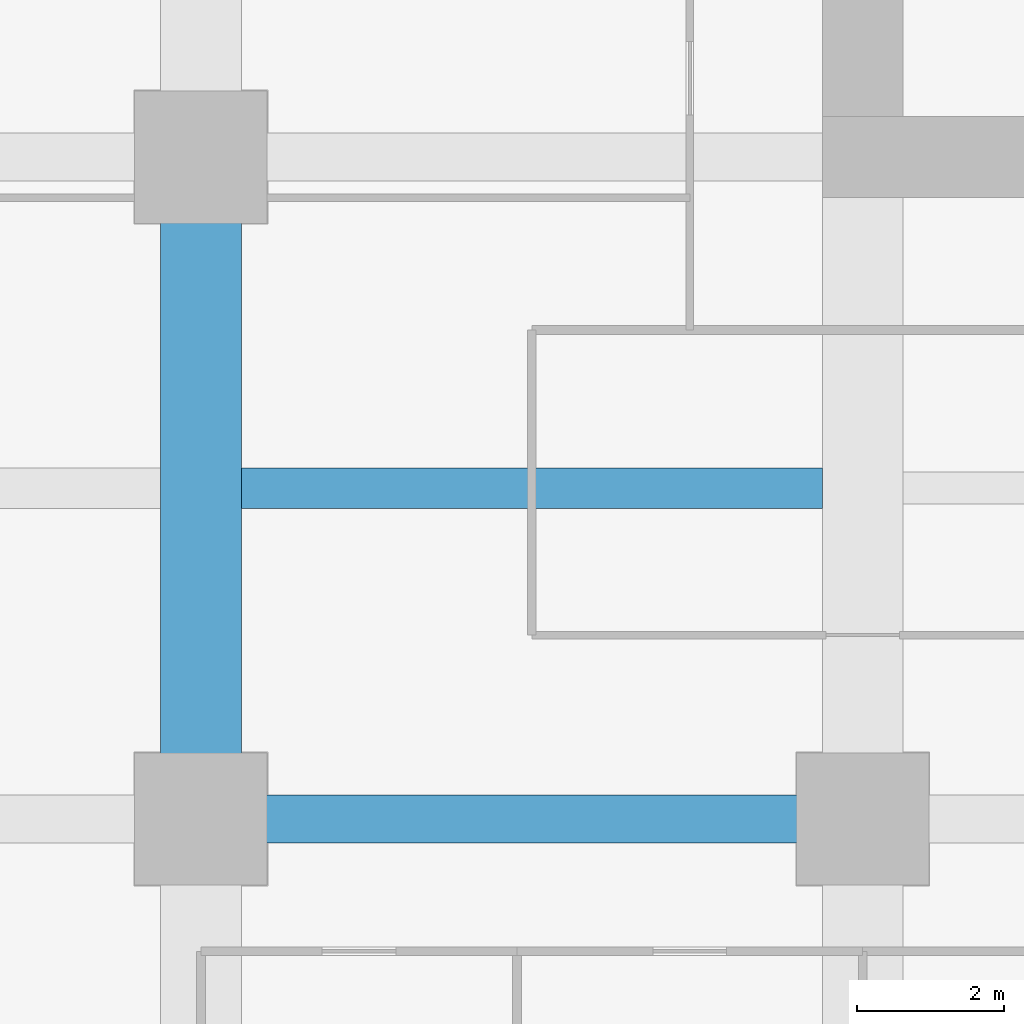
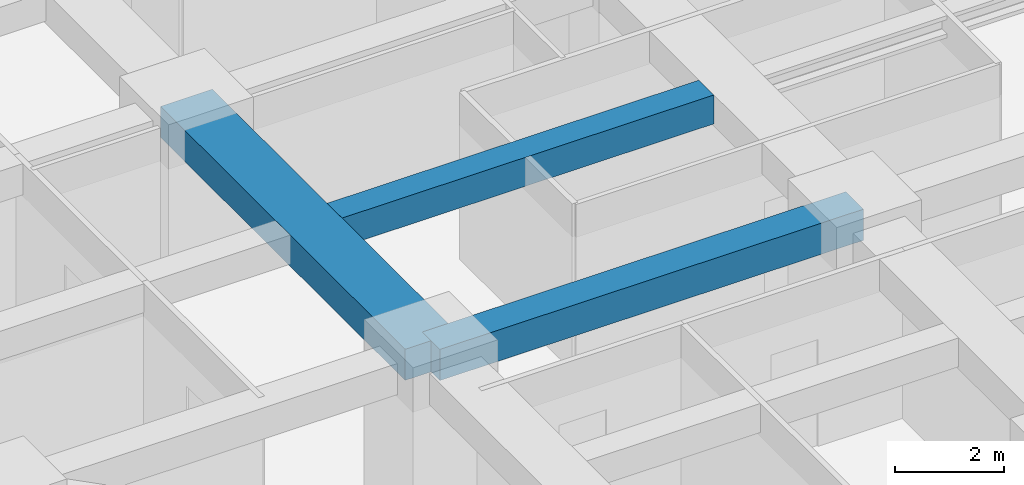
# One storey, part 5 of 41: 3 beams.
"""IFC4 building model written with IfcOpenShell, lengths in metres."""

from ifc_helpers import new_model, si_unit, direction, frame, origin, origin_2d, place, context, subcontext, project, spatial, rectangle, extrude, material, material_profile, profile_set, type_object, element, save


model = new_model("IFC4")

# Units and contexts
model_context = context("Model", 3, precision=1e-05, world=origin(), true_north=direction((0.0, 1.0)))
body_context = subcontext(model_context, "Body", "Model", "MODEL_VIEW")
ifc_project = project(units=[si_unit("LENGTHUNIT", "METRE"), si_unit("AREAUNIT", "SQUARE_METRE"), si_unit("VOLUMEUNIT", "CUBIC_METRE"), si_unit("PLANEANGLEUNIT", "RADIAN"), si_unit("MASSUNIT", "GRAM", prefix="KILO")], contexts=[model_context])

# Site, building, storey
site_placement = place(None, origin())
site = spatial("IfcSite", under=ifc_project, at=site_placement, CompositionType="ELEMENT")
building_placement = place(site_placement, origin())
building = spatial("IfcBuilding", under=site, at=building_placement, Name="Zorevar Civic Tower", CompositionType="ELEMENT")
storey_placement = place(building_placement, frame((0.0, 0.0, 137.0)))
storey = spatial("IfcBuildingStorey", under=building, at=storey_placement, Name="L33", CompositionType="ELEMENT", Elevation=137.0)

# Beams
ifc_material_1 = material(Name="Concrete C50/60", Category="concrete")
ifc_material_profile_1 = material_profile(ifc_material_1, rectangle(XDim=1.10009765625, YDim=0.699951171875, at=origin_2d()), Name="RC 1100x700")
ifc_profile_set_1 = profile_set([ifc_material_profile_1], Name="Concrete C50/60")
beam_type_1 = type_object("IfcBeamType", Name="Beam RC 1100x700", PredefinedType="BEAM", material=ifc_profile_set_1)
beam_1_placement = place(storey_placement, frame((9.0, 9.0, 3.39990234375), z_axis=(0.0, 1.0, 0.0), x_axis=(-1.0, 0.0, 0.0)))
element("IfcBeam", 1, at=beam_1_placement, inside=storey, type_object=beam_type_1, Name="Girder L34", PredefinedType="BEAM", context=body_context, shape_type="SweptSolid", body=[
    extrude(rectangle(XDim=1.10009765625, YDim=0.699951171875, at=origin_2d()), origin(), (0.0, 0.0, 1.0), 9.0),
])
ifc_material_2 = material(Name="Concrete C50/60", Category="concrete")
ifc_material_profile_2 = material_profile(ifc_material_2, rectangle(XDim=0.550048828125, YDim=0.64990234375, at=origin_2d()), Name="RC 550x650")
ifc_profile_set_2 = profile_set([ifc_material_profile_2], Name="Concrete C50/60")
beam_type_2 = type_object("IfcBeamType", Name="Beam RC 550x650", PredefinedType="BEAM", material=ifc_profile_set_2)
beam_2_placement = place(storey_placement, frame((9.550048828125, 13.5, 3.425048828125), z_axis=(1.0, 0.0, 0.0), x_axis=(0.0, 1.0, 0.0)))
element("IfcBeam", 2, at=beam_2_placement, inside=storey, type_object=beam_type_2, Name="Secondary beam L34", PredefinedType="BEAM", context=body_context, shape_type="SweptSolid", body=[
    extrude(rectangle(XDim=0.550048828125, YDim=0.64990234375, at=origin_2d()), origin(), (0.0, 0.0, 1.0), 7.89990234375),
])
ifc_material_3 = material(Name="Concrete C50/60", Category="concrete")
ifc_material_profile_3 = material_profile(ifc_material_3, rectangle(XDim=0.64990234375, YDim=0.699951171875, at=origin_2d()), Name="RC 650x700")
ifc_profile_set_3 = profile_set([ifc_material_profile_3], Name="Concrete C50/60")
beam_type_3 = type_object("IfcBeamType", Name="Beam RC 650x700", PredefinedType="BEAM", material=ifc_profile_set_3)
beam_3_placement = place(storey_placement, frame((9.0, 9.0, 3.39990234375), z_axis=(1.0, 0.0, 0.0), x_axis=(0.0, 1.0, 0.0)))
element("IfcBeam", 3, at=beam_3_placement, inside=storey, type_object=beam_type_3, Name="Girder L34", PredefinedType="BEAM", context=body_context, shape_type="SweptSolid", body=[
    extrude(rectangle(XDim=0.64990234375, YDim=0.699951171875, at=origin_2d()), origin(), (0.0, 0.0, 1.0), 9.0),
])

save(model, "model.ifc")
